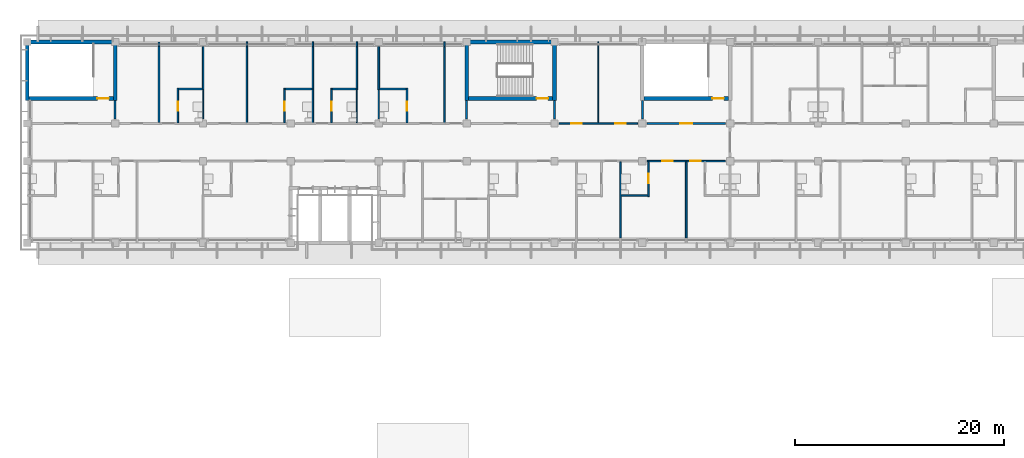
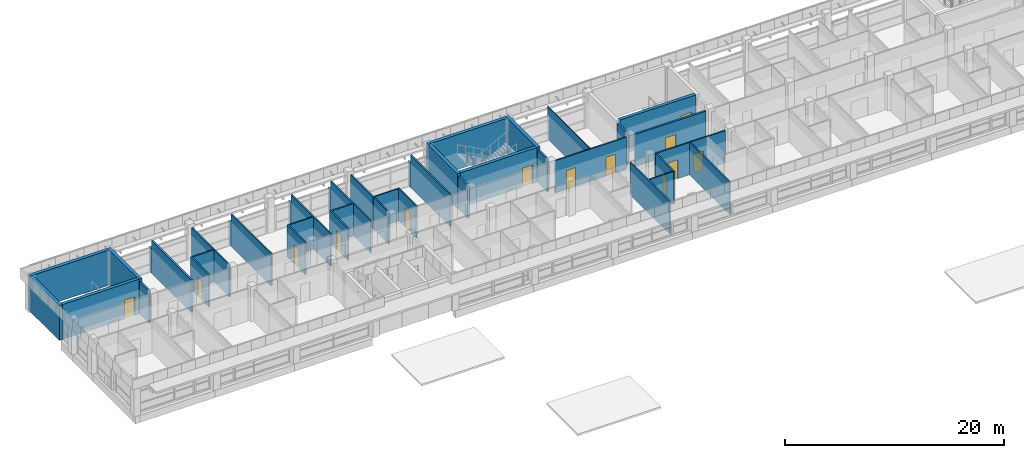
# One storey, part 17 of 36: 44 walls, 13 doors, 13 openings.
"""IFC4 building model written with IfcOpenShell, lengths in metres."""

from ifc_helpers import new_model, si_unit, direction, frame, frame_2d, origin, place, context, subcontext, project, spatial, rectangle, extrude, material, layer, layer_set, type_object, element, fill, save


model = new_model("IFC4")

# Units and contexts
model_context = context("Model", 3, precision=1e-05, world=origin(), true_north=direction((0.0, 1.0)))
body_context = subcontext(model_context, "Body", "Model", "MODEL_VIEW")
ifc_project = project(units=[si_unit("LENGTHUNIT", "METRE"), si_unit("AREAUNIT", "SQUARE_METRE"), si_unit("VOLUMEUNIT", "CUBIC_METRE"), si_unit("PLANEANGLEUNIT", "RADIAN"), si_unit("MASSUNIT", "GRAM", prefix="KILO")], contexts=[model_context])

# Site, building, storey
site_placement = place(None, origin())
site = spatial("IfcSite", under=ifc_project, at=site_placement, CompositionType="ELEMENT")
building_placement = place(site_placement, origin())
building = spatial("IfcBuilding", under=site, at=building_placement, Name="Bougainvillea Quay General Hospital", CompositionType="ELEMENT")
storey_placement = place(building_placement, frame((0.0, 0.0, 32.699951171875)))
storey = spatial("IfcBuildingStorey", under=building, at=storey_placement, Name="L07", CompositionType="ELEMENT", Elevation=32.699951171875)

# Walls
ifc_material_1 = material(Name="Gypsum board partition on steel studs", Category="steel")
ifc_layer_1 = layer(ifc_material_1, 0.10009765625)
ifc_layer_set_1 = layer_set([ifc_layer_1], Name="Gypsum board partition on steel studs")
wall_type_1 = type_object("IfcWallType", Name="Partition 100 Gypsum board partition", PredefinedType="PARTITIONING", material=ifc_layer_set_1)
wall_1_placement = place(storey_placement, frame((96.60009765625, 151.875, 0.0), z_axis=(0.0, 0.0, 1.0), x_axis=(0.0, 1.0, 0.0)))
element("IfcWall", 1, at=wall_1_placement, inside=storey, type_object=wall_type_1, Name="Partition 100 mm", PredefinedType="PARTITIONING", context=body_context, shape_type="SweptSolid", body=[
    extrude(rectangle(XDim=7.72509765625, YDim=0.10009765625, at=frame_2d((3.862548828125, 0.0))), origin(), (0.0, 0.0, 1.0), 3.60009765625),
])
wall_2_placement = place(storey_placement, frame((58.800048828125, 152.25, 0.0), z_axis=(0.0, 0.0, 1.0), x_axis=(0.0, 1.0, 0.0)))
element("IfcWall", 2, at=wall_2_placement, inside=storey, type_object=wall_type_1, Name="Partition 100 mm", PredefinedType="PARTITIONING", context=body_context, shape_type="SweptSolid", body=[
    extrude(rectangle(XDim=2.77490234375, YDim=0.10009765625, at=frame_2d((1.387451171875, 0.0))), origin(), (0.0, 0.0, 1.0), 3.60009765625),
])
wall_3_placement = place(storey_placement, frame((73.5, 151.875, 0.0), z_axis=(0.0, 0.0, 1.0), x_axis=(0.0, 1.0, 0.0)))
element("IfcWall", 3, at=wall_3_placement, inside=storey, type_object=wall_type_1, Name="Partition 100 mm", PredefinedType="PARTITIONING", context=body_context, shape_type="SweptSolid", body=[
    extrude(rectangle(XDim=3.14990234375, YDim=0.10009765625, at=frame_2d((1.574951171875, 0.0))), origin(), (0.0, 0.0, 1.0), 3.60009765625),
])
wall_4_placement = place(storey_placement, frame((75.60009765625, 152.25, 0.0), z_axis=(0.0, 0.0, 1.0), x_axis=(0.0, 1.0, 0.0)))
element("IfcWall", 4, at=wall_4_placement, inside=storey, type_object=wall_type_1, Name="Partition 100 mm", PredefinedType="PARTITIONING", context=body_context, shape_type="SweptSolid", body=[
    extrude(rectangle(XDim=2.77490234375, YDim=0.10009765625, at=frame_2d((1.387451171875, 0.0))), origin(), (0.0, 0.0, 1.0), 3.60009765625),
])
ifc_material_2 = material(Name="Gypsum board partition on steel studs, insulated", Category="steel")
ifc_layer_2 = layer(ifc_material_2, 0.14990234375)
ifc_layer_set_2 = layer_set([ifc_layer_2], Name="Gypsum board partition on steel studs, insulated")
wall_type_2 = type_object("IfcWallType", Name="Partition 150 Gypsum board partition", PredefinedType="PARTITIONING", material=ifc_layer_set_2)
wall_5_placement = place(storey_placement, frame((63.0, 151.875, 0.0), z_axis=(0.0, 0.0, 1.0), x_axis=(0.0, 1.0, 0.0)))
element("IfcWall", 5, at=wall_5_placement, inside=storey, type_object=wall_type_2, Name="Partition 150 mm", PredefinedType="PARTITIONING", context=body_context, shape_type="SweptSolid", body=[
    extrude(rectangle(XDim=7.27490234375, YDim=0.14990234375, at=frame_2d((3.637451171875, 0.0))), origin(), (0.0, 0.0, 1.0), 3.60009765625),
])
wall_6_placement = place(storey_placement, frame((63.0, 159.14990234375, 0.0), z_axis=(0.0, 0.0, 1.0), x_axis=(0.0, 1.0, 0.0)))
element("IfcWall", 6, at=wall_6_placement, inside=storey, type_object=wall_type_2, Name="Partition 150 mm", PredefinedType="PARTITIONING", context=body_context, shape_type="SweptSolid", body=[
    extrude(rectangle(XDim=0.4501953125, YDim=0.14990234375, at=frame_2d((0.22509765625, 0.0))), origin(), (0.0, 0.0, 1.0), 2.679931640625),
])
wall_7_placement = place(storey_placement, frame((69.300048828125, 151.875, 0.0), z_axis=(0.0, 0.0, 1.0), x_axis=(0.0, 1.0, 0.0)))
element("IfcWall", 7, at=wall_7_placement, inside=storey, type_object=wall_type_2, Name="Partition 150 mm", PredefinedType="PARTITIONING", context=body_context, shape_type="SweptSolid", body=[
    extrude(rectangle(XDim=7.27490234375, YDim=0.14990234375, at=frame_2d((3.637451171875, 0.0))), origin(), (0.0, 0.0, 1.0), 3.60009765625),
])
wall_8_placement = place(storey_placement, frame((69.300048828125, 159.14990234375, 0.0), z_axis=(0.0, 0.0, 1.0), x_axis=(0.0, 1.0, 0.0)))
element("IfcWall", 8, at=wall_8_placement, inside=storey, type_object=wall_type_2, Name="Partition 150 mm", PredefinedType="PARTITIONING", context=body_context, shape_type="SweptSolid", body=[
    extrude(rectangle(XDim=0.4501953125, YDim=0.14990234375, at=frame_2d((0.22509765625, 0.0))), origin(), (0.0, 0.0, 1.0), 2.679931640625),
])
wall_9_placement = place(storey_placement, frame((81.89990234375, 151.875, 0.0), z_axis=(0.0, 0.0, 1.0), x_axis=(0.0, 1.0, 0.0)))
element("IfcWall", 9, at=wall_9_placement, inside=storey, type_object=wall_type_2, Name="Partition 150 mm", PredefinedType="PARTITIONING", context=body_context, shape_type="SweptSolid", body=[
    extrude(rectangle(XDim=7.27490234375, YDim=0.14990234375, at=frame_2d((3.637451171875, 0.0))), origin(), (0.0, 0.0, 1.0), 3.60009765625),
])
wall_10_placement = place(storey_placement, frame((81.89990234375, 159.14990234375, 0.0), z_axis=(0.0, 0.0, 1.0), x_axis=(0.0, 1.0, 0.0)))
element("IfcWall", 10, at=wall_10_placement, inside=storey, type_object=wall_type_2, Name="Partition 150 mm", PredefinedType="PARTITIONING", context=body_context, shape_type="SweptSolid", body=[
    extrude(rectangle(XDim=0.4501953125, YDim=0.14990234375, at=frame_2d((0.22509765625, 0.0))), origin(), (0.0, 0.0, 1.0), 2.679931640625),
])
for number, where, z_axis, x_axis, name in (
    (11, (98.699951171875, 140.85009765625, 0.0), (0.0, 0.0, 1.0), (0.0, 1.0, 0.0), "Partition 150 mm"),
    (12, (105.0, 140.85009765625, 0.0), (0.0, 0.0, 1.0), (0.0, 1.0, 0.0), "Partition 150 mm"),
):
    element("IfcWall", number, at=place(storey_placement, frame(where, z_axis=z_axis, x_axis=x_axis)), inside=storey, type_object=wall_type_2, Name=name, PredefinedType="PARTITIONING", context=body_context, shape_type="SweptSolid", body=[
        extrude(rectangle(XDim=7.27490234375, YDim=0.14990234375, at=frame_2d((3.637451171875, 0.0))), origin(), (0.0, 0.0, 1.0), 3.60009765625),
    ])
for number, where, z_axis, x_axis, name in (
    (13, (58.800048828125, 155.02490234375, 0.0), (0.0, 0.0, 1.0), (0.0, 1.0, 0.0), "Partition 150 mm"),
    (14, (73.5, 155.02490234375, 0.0), (0.0, 0.0, 1.0), (0.0, 1.0, 0.0), "Partition 150 mm"),
):
    element("IfcWall", number, at=place(storey_placement, frame(where, z_axis=z_axis, x_axis=x_axis)), inside=storey, type_object=wall_type_2, Name=name, PredefinedType="PARTITIONING", context=body_context, shape_type="SweptSolid", body=[
        extrude(rectangle(XDim=4.125, YDim=0.14990234375, at=frame_2d((2.0625, 0.0))), origin(), (0.0, 0.0, 1.0), 3.60009765625),
    ])
wall_11_placement = place(storey_placement, frame((73.5, 159.14990234375, 0.0), z_axis=(0.0, 0.0, 1.0), x_axis=(0.0, 1.0, 0.0)))
element("IfcWall", 15, at=wall_11_placement, inside=storey, type_object=wall_type_2, Name="Partition 150 mm", PredefinedType="PARTITIONING", context=body_context, shape_type="SweptSolid", body=[
    extrude(rectangle(XDim=0.4501953125, YDim=0.14990234375, at=frame_2d((0.22509765625, 0.0))), origin(), (0.0, 0.0, 1.0), 2.679931640625),
])
wall_12_placement = place(storey_placement, frame((75.60009765625, 155.02490234375, 0.0), z_axis=(0.0, 0.0, 1.0), x_axis=(0.0, 1.0, 0.0)))
element("IfcWall", 16, at=wall_12_placement, inside=storey, type_object=wall_type_2, Name="Partition 150 mm", PredefinedType="PARTITIONING", context=body_context, shape_type="SweptSolid", body=[
    extrude(rectangle(XDim=4.125, YDim=0.14990234375, at=frame_2d((2.0625, 0.0))), origin(), (0.0, 0.0, 1.0), 3.60009765625),
])

# Wall, opening, door
wall_13_placement = place(storey_placement, frame((56.39990234375, 151.875, 0.0), z_axis=(0.0, 0.0, 1.0), x_axis=(0.0, 1.0, 0.0)))
wall_13 = element("IfcWall", 17, at=wall_13_placement, inside=storey, type_object=wall_type_2, Name="Partition 150 mm", PredefinedType="PARTITIONING", context=body_context, shape_type="SweptSolid", body=[
    extrude(rectangle(XDim=3.300048828125, YDim=0.14990234375, at=frame_2d((1.64990234375, 0.0))), origin(), (0.0, 0.0, 1.0), 3.60009765625),
])
opening_1_placement = place(wall_13_placement, frame((1.125, 0.0, 0.0)))
opening_1 = element("IfcOpeningElement", 18, at=opening_1_placement, cuts=wall_13, Name="Opening L07.010", PredefinedType="OPENING", context=body_context, shape_type="SweptSolid", body=[
    extrude(rectangle(XDim=0.89990234375, YDim=2.10009765625, at=frame_2d((0.449951171875, 1.050048828125))), frame((0.0, 0.0849609375, 0.0), z_axis=(0.0, -1.0, 0.0), x_axis=(1.0, 0.0, 0.0)), (0.0, 0.0, 1.0), 0.169921875),
])
ifc_material_3 = material(Name="Solid-core timber door leaf in steel frame", Category="steel")
door_type_1 = type_object("IfcDoorType", Name="Single leaf door 900x2100", OperationType="NOTDEFINED", PredefinedType="DOOR", material=ifc_material_3)
door_1_placement = place(opening_1_placement, frame((0.89990234375, 0.0, 0.0), z_axis=(0.0, 0.0, 1.0), x_axis=(-1.0, 0.0, 0.0)))
door_1 = element("IfcDoor", 19, at=door_1_placement, inside=storey, type_object=door_type_1, Name="DT07 L07.010", OperationType="SINGLE_SWING_RIGHT", OverallHeight=2.10009765625, OverallWidth=0.89990234375, PredefinedType="DOOR", context=body_context, shape_type="SweptSolid", body=[
    extrude(rectangle(XDim=0.89990234375, YDim=2.10009765625, at=frame_2d((0.449951171875, 1.050048828125))), frame((0.0, 0.02490234375, 0.0), z_axis=(0.0, -1.0, 0.0), x_axis=(1.0, 0.0, 0.0)), (0.0, 0.0, 1.0), 0.050048828125),
])
fill(opening_1, door_1)

wall_14_placement = place(storey_placement, frame((66.60009765625, 151.875, 0.0), z_axis=(0.0, 0.0, 1.0), x_axis=(0.0, 1.0, 0.0)))
wall_14 = element("IfcWall", 20, at=wall_14_placement, inside=storey, type_object=wall_type_2, Name="Partition 150 mm", PredefinedType="PARTITIONING", context=body_context, shape_type="SweptSolid", body=[
    extrude(rectangle(XDim=3.300048828125, YDim=0.14990234375, at=frame_2d((1.64990234375, 0.0))), origin(), (0.0, 0.0, 1.0), 3.60009765625),
])
opening_2_placement = place(wall_14_placement, frame((1.125, 0.0, 0.0)))
opening_2 = element("IfcOpeningElement", 21, at=opening_2_placement, cuts=wall_14, Name="Opening L07.013", PredefinedType="OPENING", context=body_context, shape_type="SweptSolid", body=[
    extrude(rectangle(XDim=0.89990234375, YDim=2.10009765625, at=frame_2d((0.449951171875, 1.050048828125))), frame((0.0, 0.0849609375, 0.0), z_axis=(0.0, -1.0, 0.0), x_axis=(1.0, 0.0, 0.0)), (0.0, 0.0, 1.0), 0.169921875),
])
door_2_placement = place(opening_2_placement, frame((0.89990234375, 0.0, 0.0), z_axis=(0.0, 0.0, 1.0), x_axis=(-1.0, 0.0, 0.0)))
door_2 = element("IfcDoor", 22, at=door_2_placement, inside=storey, type_object=door_type_1, Name="DT07 L07.013", OperationType="SINGLE_SWING_RIGHT", OverallHeight=2.10009765625, OverallWidth=0.89990234375, PredefinedType="DOOR", context=body_context, shape_type="SweptSolid", body=[
    extrude(rectangle(XDim=0.89990234375, YDim=2.10009765625, at=frame_2d((0.449951171875, 1.050048828125))), frame((0.0, 0.02490234375, 0.0), z_axis=(0.0, -1.0, 0.0), x_axis=(1.0, 0.0, 0.0)), (0.0, 0.0, 1.0), 0.050048828125),
])
fill(opening_2, door_2)

wall_15_placement = place(storey_placement, frame((71.10009765625, 151.875, 0.0), z_axis=(0.0, 0.0, 1.0), x_axis=(0.0, 1.0, 0.0)))
wall_15 = element("IfcWall", 23, at=wall_15_placement, inside=storey, type_object=wall_type_2, Name="Partition 150 mm", PredefinedType="PARTITIONING", context=body_context, shape_type="SweptSolid", body=[
    extrude(rectangle(XDim=3.300048828125, YDim=0.14990234375, at=frame_2d((1.64990234375, 0.0))), origin(), (0.0, 0.0, 1.0), 3.60009765625),
])
opening_3_placement = place(wall_15_placement, frame((1.125, 0.0, 0.0)))
opening_3 = element("IfcOpeningElement", 24, at=opening_3_placement, cuts=wall_15, Name="Opening L07.015", PredefinedType="OPENING", context=body_context, shape_type="SweptSolid", body=[
    extrude(rectangle(XDim=0.89990234375, YDim=2.10009765625, at=frame_2d((0.449951171875, 1.050048828125))), frame((0.0, 0.0849609375, 0.0), z_axis=(0.0, -1.0, 0.0), x_axis=(1.0, 0.0, 0.0)), (0.0, 0.0, 1.0), 0.169921875),
])
door_3_placement = place(opening_3_placement, frame((0.89990234375, 0.0, 0.0), z_axis=(0.0, 0.0, 1.0), x_axis=(-1.0, 0.0, 0.0)))
door_3 = element("IfcDoor", 25, at=door_3_placement, inside=storey, type_object=door_type_1, Name="DT07 L07.015", OperationType="SINGLE_SWING_RIGHT", OverallHeight=2.10009765625, OverallWidth=0.89990234375, PredefinedType="DOOR", context=body_context, shape_type="SweptSolid", body=[
    extrude(rectangle(XDim=0.89990234375, YDim=2.10009765625, at=frame_2d((0.449951171875, 1.050048828125))), frame((0.0, 0.02490234375, 0.0), z_axis=(0.0, -1.0, 0.0), x_axis=(1.0, 0.0, 0.0)), (0.0, 0.0, 1.0), 0.050048828125),
])
fill(opening_3, door_3)

wall_16_placement = place(storey_placement, frame((78.300048828125, 151.875, 0.0), z_axis=(0.0, 0.0, 1.0), x_axis=(0.0, 1.0, 0.0)))
wall_16 = element("IfcWall", 26, at=wall_16_placement, inside=storey, type_object=wall_type_2, Name="Partition 150 mm", PredefinedType="PARTITIONING", context=body_context, shape_type="SweptSolid", body=[
    extrude(rectangle(XDim=3.300048828125, YDim=0.14990234375, at=frame_2d((1.64990234375, 0.0))), origin(), (0.0, 0.0, 1.0), 3.60009765625),
])
opening_4_placement = place(wall_16_placement, frame((1.125, 0.0, 0.0)))
opening_4 = element("IfcOpeningElement", 27, at=opening_4_placement, cuts=wall_16, Name="Opening L07.018", PredefinedType="OPENING", context=body_context, shape_type="SweptSolid", body=[
    extrude(rectangle(XDim=0.89990234375, YDim=2.10009765625, at=frame_2d((0.449951171875, 1.050048828125))), frame((0.0, 0.0849609375, 0.0), z_axis=(0.0, -1.0, 0.0), x_axis=(1.0, 0.0, 0.0)), (0.0, 0.0, 1.0), 0.169921875),
])
door_4_placement = place(opening_4_placement, origin())
door_4 = element("IfcDoor", 28, at=door_4_placement, inside=storey, type_object=door_type_1, Name="DT07 L07.018", OperationType="SINGLE_SWING_LEFT", OverallHeight=2.10009765625, OverallWidth=0.89990234375, PredefinedType="DOOR", context=body_context, shape_type="SweptSolid", body=[
    extrude(rectangle(XDim=0.89990234375, YDim=2.10009765625, at=frame_2d((0.449951171875, 1.050048828125))), frame((0.0, 0.02490234375, 0.0), z_axis=(0.0, -1.0, 0.0), x_axis=(1.0, 0.0, 0.0)), (0.0, 0.0, 1.0), 0.050048828125),
])
fill(opening_4, door_4)

wall_17_placement = place(storey_placement, frame((101.39990234375, 144.824951171875, 0.0), z_axis=(0.0, 0.0, 1.0), x_axis=(0.0, 1.0, 0.0)))
wall_17 = element("IfcWall", 29, at=wall_17_placement, inside=storey, type_object=wall_type_2, Name="Partition 150 mm", PredefinedType="PARTITIONING", context=body_context, shape_type="SweptSolid", body=[
    extrude(rectangle(XDim=3.300048828125, YDim=0.14990234375, at=frame_2d((1.64990234375, 0.0))), origin(), (0.0, 0.0, 1.0), 3.60009765625),
])
opening_5_placement = place(wall_17_placement, frame((1.27490234375, 0.0, 0.0)))
opening_5 = element("IfcOpeningElement", 30, at=opening_5_placement, cuts=wall_17, Name="Opening L07.030", PredefinedType="OPENING", context=body_context, shape_type="SweptSolid", body=[
    extrude(rectangle(XDim=0.89990234375, YDim=2.10009765625, at=frame_2d((0.449951171875, 1.050048828125))), frame((0.0, 0.0849609375, 0.0), z_axis=(0.0, -1.0, 0.0), x_axis=(1.0, 0.0, 0.0)), (0.0, 0.0, 1.0), 0.169921875),
])
door_5_placement = place(opening_5_placement, origin())
door_5 = element("IfcDoor", 31, at=door_5_placement, inside=storey, type_object=door_type_1, Name="DT07 L07.030", OperationType="SINGLE_SWING_RIGHT", OverallHeight=2.10009765625, OverallWidth=0.89990234375, PredefinedType="DOOR", context=body_context, shape_type="SweptSolid", body=[
    extrude(rectangle(XDim=0.89990234375, YDim=2.10009765625, at=frame_2d((0.449951171875, 1.050048828125))), frame((0.0, 0.02490234375, 0.0), z_axis=(0.0, -1.0, 0.0), x_axis=(1.0, 0.0, 0.0)), (0.0, 0.0, 1.0), 0.050048828125),
])
fill(opening_5, door_5)

# Walls
for number, where, z_axis, x_axis, name in (
    (32, (66.675048828125, 155.10009765625, 0.0), (0.0, 0.0, 1.0), (1.0, 0.0, 0.0), "Partition 150 mm"),
    (33, (75.675048828125, 155.10009765625, 0.0), (0.0, 0.0, 1.0), (1.0, 0.0, 0.0), "Partition 150 mm"),
    (34, (98.77490234375, 144.89990234375, 0.0), (0.0, 0.0, 1.0), (1.0, 0.0, 0.0), "Partition 150 mm"),
):
    element("IfcWall", number, at=place(storey_placement, frame(where, z_axis=z_axis, x_axis=x_axis)), inside=storey, type_object=wall_type_2, Name=name, PredefinedType="PARTITIONING", context=body_context, shape_type="SweptSolid", body=[
        extrude(rectangle(XDim=2.550048828125, YDim=0.14990234375, at=frame_2d((1.27490234375, 0.0))), origin(), (0.0, 0.0, 1.0), 3.60009765625),
    ])
for number, where, z_axis, x_axis, name in (
    (35, (71.175048828125, 155.10009765625, 0.0), (0.0, 0.0, 1.0), (1.0, 0.0, 0.0), "Partition 150 mm"),
    (36, (56.47509765625, 155.10009765625, 0.0), (0.0, 0.0, 1.0), (1.0, 0.0, 0.0), "Partition 150 mm"),
):
    element("IfcWall", number, at=place(storey_placement, frame(where, z_axis=z_axis, x_axis=x_axis)), inside=storey, type_object=wall_type_2, Name=name, PredefinedType="PARTITIONING", context=body_context, shape_type="SweptSolid", body=[
        extrude(rectangle(XDim=2.25, YDim=0.14990234375, at=frame_2d((1.125, 0.0))), origin(), (0.0, 0.0, 1.0), 3.60009765625),
    ])

# Wall, openings, doors
ifc_layer_3 = layer(ifc_material_2, 0.14990234375)
ifc_layer_set_3 = layer_set([ifc_layer_3], Name="Gypsum board partition on steel studs, insulated")
wall_type_3 = type_object("IfcWallType", Name="Partition 150 Gypsum board partition EI 30", PredefinedType="PARTITIONING", material=ifc_layer_set_3)
wall_18_placement = place(storey_placement, frame((108.75, 148.199951171875, 0.0), z_axis=(0.0, 0.0, 1.0), x_axis=(-1.0, 0.0, 0.0)))
wall_18 = element("IfcWall", 37, at=wall_18_placement, inside=storey, type_object=wall_type_3, Name="Partition 150 mm EI 30", PredefinedType="PARTITIONING", context=body_context, shape_type="SweptSolid", body=[
    extrude(rectangle(XDim=7.5, YDim=0.14990234375, at=frame_2d((3.75, 0.0))), origin(), (0.0, 0.0, 1.0), 3.60009765625),
])
opening_6_placement = place(wall_18_placement, frame((5.050048828125, 0.0, 0.0)))
opening_6 = element("IfcOpeningElement", 38, at=opening_6_placement, cuts=wall_18, Name="Opening L07.029", PredefinedType="OPENING", context=body_context, shape_type="SweptSolid", body=[
    extrude(rectangle(XDim=1.0, YDim=2.10009765625, at=frame_2d((0.5, 1.050048828125))), frame((0.0, 0.0849609375, 0.0), z_axis=(0.0, -1.0, 0.0), x_axis=(1.0, 0.0, 0.0)), (0.0, 0.0, 1.0), 0.169921875),
])
opening_7_placement = place(wall_18_placement, frame((2.35009765625, 0.0, 0.0)))
opening_7 = element("IfcOpeningElement", 39, at=opening_7_placement, cuts=wall_18, Name="Opening L07.031", PredefinedType="OPENING", context=body_context, shape_type="SweptSolid", body=[
    extrude(rectangle(XDim=1.0, YDim=2.10009765625, at=frame_2d((0.5, 1.050048828125))), frame((0.0, 0.0849609375, 0.0), z_axis=(0.0, -1.0, 0.0), x_axis=(1.0, 0.0, 0.0)), (0.0, 0.0, 1.0), 0.169921875),
])
door_type_2 = type_object("IfcDoorType", Name="Single leaf door 1000x2100 FD30S", OperationType="NOTDEFINED", PredefinedType="DOOR", material=ifc_material_3)
door_6_placement = place(opening_6_placement, origin())
door_6 = element("IfcDoor", 40, at=door_6_placement, inside=storey, type_object=door_type_2, Name="DT15 L07.029", OperationType="SINGLE_SWING_RIGHT", OverallHeight=2.10009765625, OverallWidth=1.0, PredefinedType="DOOR", context=body_context, shape_type="SweptSolid", body=[
    extrude(rectangle(XDim=1.0, YDim=2.10009765625, at=frame_2d((0.5, 1.050048828125))), frame((0.0, 0.02490234375, 0.0), z_axis=(0.0, -1.0, 0.0), x_axis=(1.0, 0.0, 0.0)), (0.0, 0.0, 1.0), 0.050048828125),
])
fill(opening_6, door_6)
door_7_placement = place(opening_7_placement, origin())
door_7 = element("IfcDoor", 41, at=door_7_placement, inside=storey, type_object=door_type_2, Name="DT15 L07.031", OperationType="SINGLE_SWING_LEFT", OverallHeight=2.10009765625, OverallWidth=1.0, PredefinedType="DOOR", context=body_context, shape_type="SweptSolid", body=[
    extrude(rectangle(XDim=1.0, YDim=2.10009765625, at=frame_2d((0.5, 1.050048828125))), frame((0.0, 0.02490234375, 0.0), z_axis=(0.0, -1.0, 0.0), x_axis=(1.0, 0.0, 0.0)), (0.0, 0.0, 1.0), 0.050048828125),
])
fill(opening_7, door_7)

wall_19_placement = place(storey_placement, frame((92.85009765625, 151.800048828125, 0.0), z_axis=(0.0, 0.0, 1.0), x_axis=(1.0, 0.0, 0.0)))
wall_19 = element("IfcWall", 42, at=wall_19_placement, inside=storey, type_object=wall_type_3, Name="Partition 150 mm EI 30", PredefinedType="PARTITIONING", context=body_context, shape_type="SweptSolid", body=[
    extrude(rectangle(XDim=7.5, YDim=0.14990234375, at=frame_2d((3.75, 0.0))), origin(), (0.0, 0.0, 1.0), 3.60009765625),
])
opening_8_placement = place(wall_19_placement, frame((1.14990234375, 0.0, 0.0)))
opening_8 = element("IfcOpeningElement", 43, at=opening_8_placement, cuts=wall_19, Name="Opening L07.033", PredefinedType="OPENING", context=body_context, shape_type="SweptSolid", body=[
    extrude(rectangle(XDim=1.0, YDim=2.10009765625, at=frame_2d((0.5, 1.050048828125))), frame((0.0, 0.0849609375, 0.0), z_axis=(0.0, -1.0, 0.0), x_axis=(1.0, 0.0, 0.0)), (0.0, 0.0, 1.0), 0.169921875),
])
opening_9_placement = place(wall_19_placement, frame((5.35009765625, 0.0, 0.0)))
opening_9 = element("IfcOpeningElement", 44, at=opening_9_placement, cuts=wall_19, Name="Opening L07.034", PredefinedType="OPENING", context=body_context, shape_type="SweptSolid", body=[
    extrude(rectangle(XDim=1.0, YDim=2.10009765625, at=frame_2d((0.5, 1.050048828125))), frame((0.0, 0.0849609375, 0.0), z_axis=(0.0, -1.0, 0.0), x_axis=(1.0, 0.0, 0.0)), (0.0, 0.0, 1.0), 0.169921875),
])
door_8_placement = place(opening_8_placement, origin())
door_8 = element("IfcDoor", 45, at=door_8_placement, inside=storey, type_object=door_type_2, Name="DT15 L07.033", OperationType="SINGLE_SWING_LEFT", OverallHeight=2.10009765625, OverallWidth=1.0, PredefinedType="DOOR", context=body_context, shape_type="SweptSolid", body=[
    extrude(rectangle(XDim=1.0, YDim=2.10009765625, at=frame_2d((0.5, 1.050048828125))), frame((0.0, 0.02490234375, 0.0), z_axis=(0.0, -1.0, 0.0), x_axis=(1.0, 0.0, 0.0)), (0.0, 0.0, 1.0), 0.050048828125),
])
fill(opening_8, door_8)
door_9_placement = place(opening_9_placement, origin())
door_9 = element("IfcDoor", 46, at=door_9_placement, inside=storey, type_object=door_type_2, Name="DT15 L07.034", OperationType="SINGLE_SWING_RIGHT", OverallHeight=2.10009765625, OverallWidth=1.0, PredefinedType="DOOR", context=body_context, shape_type="SweptSolid", body=[
    extrude(rectangle(XDim=1.0, YDim=2.10009765625, at=frame_2d((0.5, 1.050048828125))), frame((0.0, 0.02490234375, 0.0), z_axis=(0.0, -1.0, 0.0), x_axis=(1.0, 0.0, 0.0)), (0.0, 0.0, 1.0), 0.050048828125),
])
fill(opening_9, door_9)

# Wall, opening, door
ifc_material_4 = material(Name="Fire-rated autoclaved aerated block wall, plastered")
ifc_layer_4 = layer(ifc_material_4, 0.199951171875)
ifc_layer_set_4 = layer_set([ifc_layer_4], Name="Fire-rated autoclaved aerated block wall, plastered")
wall_type_4 = type_object("IfcWallType", Name="Partition 200 Fire-rated autoclaved aerated block wall EI 120", PredefinedType="SOLIDWALL", material=ifc_layer_set_4)
wall_20_placement = place(storey_placement, frame((101.25, 151.800048828125, 0.0), z_axis=(0.0, 0.0, 1.0), x_axis=(1.0, 0.0, 0.0)))
wall_20 = element("IfcWall", 47, at=wall_20_placement, inside=storey, type_object=wall_type_4, Name="Partition 200 mm EI 120", PredefinedType="SOLIDWALL", context=body_context, shape_type="SweptSolid", body=[
    extrude(rectangle(XDim=7.5, YDim=0.199951171875, at=frame_2d((3.75, 0.0))), origin(), (0.0, 0.0, 1.0), 3.60009765625),
])
opening_10_placement = place(wall_20_placement, frame((3.199951171875, 0.0, 0.0)))
opening_10 = element("IfcOpeningElement", 48, at=opening_10_placement, cuts=wall_20, Name="Opening L07.081", PredefinedType="OPENING", context=body_context, shape_type="SweptSolid", body=[
    extrude(rectangle(XDim=1.10009765625, YDim=2.10009765625, at=frame_2d((0.550048828125, 1.050048828125))), frame((0.0, 0.10986328125, 0.0), z_axis=(0.0, -1.0, 0.0), x_axis=(1.0, 0.0, 0.0)), (0.0, 0.0, 1.0), 0.219970703125),
])
ifc_material_5 = material(Name="Steel fire door leaf in steel frame", Category="steel")
door_type_3 = type_object("IfcDoorType", Name="Steel single leaf door 1100x2100 FD60", OperationType="NOTDEFINED", PredefinedType="DOOR", material=ifc_material_5)
door_10_placement = place(opening_10_placement, origin())
door_10 = element("IfcDoor", 49, at=door_10_placement, inside=storey, type_object=door_type_3, Name="DT04 L07.081", OperationType="SINGLE_SWING_RIGHT", OverallHeight=2.10009765625, OverallWidth=1.10009765625, PredefinedType="DOOR", context=body_context, shape_type="SweptSolid", body=[
    extrude(rectangle(XDim=1.10009765625, YDim=2.10009765625, at=frame_2d((0.550048828125, 1.050048828125))), frame((0.0, 0.02490234375, 0.0), z_axis=(0.0, -1.0, 0.0), x_axis=(1.0, 0.0, 0.0)), (0.0, 0.0, 1.0), 0.050048828125),
])
fill(opening_10, door_10)

# Walls
wall_21_placement = place(storey_placement, frame((50.39990234375, 152.25, 0.0), z_axis=(0.0, 0.0, 1.0), x_axis=(0.0, 1.0, 0.0)))
element("IfcWall", 50, at=wall_21_placement, inside=storey, type_object=wall_type_4, Name="Partition 200 mm EI 120", PredefinedType="SOLIDWALL", context=body_context, shape_type="SweptSolid", body=[
    extrude(rectangle(XDim=1.77490234375, YDim=0.199951171875, at=frame_2d((0.887451171875, 0.0))), origin(), (0.0, 0.0, 1.0), 3.60009765625),
])
wall_22_placement = place(storey_placement, frame((54.60009765625, 151.89990234375, 0.0), z_axis=(0.0, 0.0, 1.0), x_axis=(0.0, 1.0, 0.0)))
element("IfcWall", 51, at=wall_22_placement, inside=storey, type_object=wall_type_4, Name="Partition 200 mm EI 120", PredefinedType="SOLIDWALL", context=body_context, shape_type="SweptSolid", body=[
    extrude(rectangle(XDim=7.25, YDim=0.199951171875, at=frame_2d((3.625, 0.0))), origin(), (0.0, 0.0, 1.0), 3.60009765625),
])
wall_23_placement = place(storey_placement, frame((54.60009765625, 159.14990234375, 0.0), z_axis=(0.0, 0.0, 1.0), x_axis=(0.0, 1.0, 0.0)))
element("IfcWall", 52, at=wall_23_placement, inside=storey, type_object=wall_type_4, Name="Partition 200 mm EI 120", PredefinedType="SOLIDWALL", context=body_context, shape_type="SweptSolid", body=[
    extrude(rectangle(XDim=0.4501953125, YDim=0.199951171875, at=frame_2d((0.22509765625, 0.0))), origin(), (0.0, 0.0, 1.0), 2.679931640625),
])
for number, where, z_axis, x_axis, name in (
    (53, (84.0, 152.25, 0.0), (0.0, 0.0, 1.0), (0.0, 1.0, 0.0), "Partition 200 mm EI 120"),
    (54, (92.39990234375, 152.25, 0.0), (0.0, 0.0, 1.0), (0.0, 1.0, 0.0), "Partition 200 mm EI 120"),
    (55, (100.800048828125, 152.25, 0.0), (0.0, 0.0, 1.0), (0.0, 1.0, 0.0), "Partition 200 mm EI 120"),
):
    element("IfcWall", number, at=place(storey_placement, frame(where, z_axis=z_axis, x_axis=x_axis)), inside=storey, type_object=wall_type_4, Name=name, PredefinedType="SOLIDWALL", context=body_context, shape_type="SweptSolid", body=[
        extrude(rectangle(XDim=1.77490234375, YDim=0.199951171875, at=frame_2d((0.887451171875, 0.0))), origin(), (0.0, 0.0, 1.0), 3.60009765625),
    ])
ifc_material_6 = material(Name="Concrete C40", Category="concrete")
ifc_layer_5 = layer(ifc_material_6, 0.35009765625)
ifc_layer_set_5 = layer_set([ifc_layer_5], Name="Concrete C40")
wall_type_5 = type_object("IfcWallType", Name="RC SHEAR WALL 350 C40", PredefinedType="SHEAR", material=ifc_layer_set_5)
wall_24_placement = place(storey_placement, frame((41.824951171875, 159.60009765625, 0.0), z_axis=(0.0, 0.0, 1.0), x_axis=(1.0, 0.0, 0.0)))
element("IfcWall", 56, at=wall_24_placement, inside=storey, type_object=wall_type_5, Name="Shear wall L07", PredefinedType="SHEAR", context=body_context, shape_type="SweptSolid", body=[
    extrude(rectangle(XDim=8.400146484375, YDim=0.35009765625, at=frame_2d((4.2001953125, 0.0))), origin(), (0.0, 0.0, 1.0), 3.900146484375),
])
wall_25_placement = place(storey_placement, frame((42.0, 154.02490234375, 0.0), z_axis=(0.0, 0.0, 1.0), x_axis=(0.0, 1.0, 0.0)))
element("IfcWall", 57, at=wall_25_placement, inside=storey, type_object=wall_type_5, Name="Shear wall L07", PredefinedType="SHEAR", context=body_context, shape_type="SweptSolid", body=[
    extrude(rectangle(XDim=5.400146484375, YDim=0.35009765625, at=frame_2d((2.7001953125, 0.0))), origin(), (0.0, 0.0, 1.0), 3.900146484375),
])

# Wall, opening, door
wall_26_placement = place(storey_placement, frame((42.175048828125, 154.199951171875, 0.0), z_axis=(0.0, 0.0, 1.0), x_axis=(1.0, 0.0, 0.0)))
wall_26 = element("IfcWall", 58, at=wall_26_placement, inside=storey, type_object=wall_type_5, Name="Shear wall L07", PredefinedType="SHEAR", context=body_context, shape_type="SweptSolid", body=[
    extrude(rectangle(XDim=8.050048828125, YDim=0.35009765625, at=frame_2d((4.02490234375, 0.0))), origin(), (0.0, 0.0, 1.0), 3.900146484375),
])
opening_11_placement = place(wall_26_placement, frame((6.52490234375, 0.0, 0.0)))
opening_11 = element("IfcOpeningElement", 59, at=opening_11_placement, cuts=wall_26, Name="Opening L07.072", PredefinedType="OPENING", context=body_context, shape_type="SweptSolid", body=[
    extrude(rectangle(XDim=1.10009765625, YDim=2.10009765625, at=frame_2d((0.550048828125, 1.050048828125))), frame((0.0, 0.18505859375, 0.0), z_axis=(0.0, -1.0, 0.0), x_axis=(1.0, 0.0, 0.0)), (0.0, 0.0, 1.0), 0.3701171875),
])
door_11_placement = place(opening_11_placement, origin())
door_11 = element("IfcDoor", 60, at=door_11_placement, inside=storey, type_object=door_type_3, Name="DT04 L07.072", OperationType="SINGLE_SWING_RIGHT", OverallHeight=2.10009765625, OverallWidth=1.10009765625, PredefinedType="DOOR", context=body_context, shape_type="SweptSolid", body=[
    extrude(rectangle(XDim=1.10009765625, YDim=2.10009765625, at=frame_2d((0.550048828125, 1.050048828125))), frame((0.0, 0.02490234375, 0.0), z_axis=(0.0, -1.0, 0.0), x_axis=(1.0, 0.0, 0.0)), (0.0, 0.0, 1.0), 0.050048828125),
])
fill(opening_11, door_11)

# Walls
wall_27_placement = place(storey_placement, frame((50.39990234375, 154.02490234375, 0.0), z_axis=(0.0, 0.0, 1.0), x_axis=(0.0, 1.0, 0.0)))
element("IfcWall", 61, at=wall_27_placement, inside=storey, type_object=wall_type_5, Name="Shear wall L07", PredefinedType="SHEAR", context=body_context, shape_type="SweptSolid", body=[
    extrude(rectangle(XDim=5.75, YDim=0.35009765625, at=frame_2d((2.875, 0.0))), origin(), (0.0, 0.0, 1.0), 3.900146484375),
])
wall_28_placement = place(storey_placement, frame((83.824951171875, 159.60009765625, 0.0), z_axis=(0.0, 0.0, 1.0), x_axis=(1.0, 0.0, 0.0)))
element("IfcWall", 62, at=wall_28_placement, inside=storey, type_object=wall_type_5, Name="Shear wall L07", PredefinedType="SHEAR", context=body_context, shape_type="SweptSolid", body=[
    extrude(rectangle(XDim=8.400146484375, YDim=0.35009765625, at=frame_2d((4.2001953125, 0.0))), origin(), (0.0, 0.0, 1.0), 3.900146484375),
])
wall_29_placement = place(storey_placement, frame((84.0, 154.02490234375, 0.0), z_axis=(0.0, 0.0, 1.0), x_axis=(0.0, 1.0, 0.0)))
element("IfcWall", 63, at=wall_29_placement, inside=storey, type_object=wall_type_5, Name="Shear wall L07", PredefinedType="SHEAR", context=body_context, shape_type="SweptSolid", body=[
    extrude(rectangle(XDim=5.400146484375, YDim=0.35009765625, at=frame_2d((2.7001953125, 0.0))), origin(), (0.0, 0.0, 1.0), 3.900146484375),
])

# Wall, opening, door
wall_30_placement = place(storey_placement, frame((84.175048828125, 154.199951171875, 0.0), z_axis=(0.0, 0.0, 1.0), x_axis=(1.0, 0.0, 0.0)))
wall_30 = element("IfcWall", 64, at=wall_30_placement, inside=storey, type_object=wall_type_5, Name="Shear wall L07", PredefinedType="SHEAR", context=body_context, shape_type="SweptSolid", body=[
    extrude(rectangle(XDim=8.050048828125, YDim=0.35009765625, at=frame_2d((4.02490234375, 0.0))), origin(), (0.0, 0.0, 1.0), 3.900146484375),
])
opening_12_placement = place(wall_30_placement, frame((6.52490234375, 0.0, 0.0)))
opening_12 = element("IfcOpeningElement", 65, at=opening_12_placement, cuts=wall_30, Name="Opening L07.074", PredefinedType="OPENING", context=body_context, shape_type="SweptSolid", body=[
    extrude(rectangle(XDim=1.10009765625, YDim=2.10009765625, at=frame_2d((0.550048828125, 1.050048828125))), frame((0.0, 0.18505859375, 0.0), z_axis=(0.0, -1.0, 0.0), x_axis=(1.0, 0.0, 0.0)), (0.0, 0.0, 1.0), 0.3701171875),
])
door_12_placement = place(opening_12_placement, origin())
door_12 = element("IfcDoor", 66, at=door_12_placement, inside=storey, type_object=door_type_3, Name="DT04 L07.074", OperationType="SINGLE_SWING_RIGHT", OverallHeight=2.10009765625, OverallWidth=1.10009765625, PredefinedType="DOOR", context=body_context, shape_type="SweptSolid", body=[
    extrude(rectangle(XDim=1.10009765625, YDim=2.10009765625, at=frame_2d((0.550048828125, 1.050048828125))), frame((0.0, 0.02490234375, 0.0), z_axis=(0.0, -1.0, 0.0), x_axis=(1.0, 0.0, 0.0)), (0.0, 0.0, 1.0), 0.050048828125),
])
fill(opening_12, door_12)

# Wall
wall_31_placement = place(storey_placement, frame((92.39990234375, 154.02490234375, 0.0), z_axis=(0.0, 0.0, 1.0), x_axis=(0.0, 1.0, 0.0)))
element("IfcWall", 67, at=wall_31_placement, inside=storey, type_object=wall_type_5, Name="Shear wall L07", PredefinedType="SHEAR", context=body_context, shape_type="SweptSolid", body=[
    extrude(rectangle(XDim=5.75, YDim=0.35009765625, at=frame_2d((2.875, 0.0))), origin(), (0.0, 0.0, 1.0), 3.900146484375),
])

# Wall, opening, door
wall_32_placement = place(storey_placement, frame((100.97509765625, 154.199951171875, 0.0), z_axis=(0.0, 0.0, 1.0), x_axis=(1.0, 0.0, 0.0)))
wall_32 = element("IfcWall", 68, at=wall_32_placement, inside=storey, type_object=wall_type_5, Name="Shear wall L07", PredefinedType="SHEAR", context=body_context, shape_type="SweptSolid", body=[
    extrude(rectangle(XDim=8.0498046875, YDim=0.35009765625, at=frame_2d((4.02490234375, 0.0))), origin(), (0.0, 0.0, 1.0), 3.900146484375),
])
opening_13_placement = place(wall_32_placement, frame((6.52490234375, 0.0, 0.0)))
opening_13 = element("IfcOpeningElement", 69, at=opening_13_placement, cuts=wall_32, Name="Opening L07.080", PredefinedType="OPENING", context=body_context, shape_type="SweptSolid", body=[
    extrude(rectangle(XDim=1.10009765625, YDim=2.10009765625, at=frame_2d((0.550048828125, 1.050048828125))), frame((0.0, 0.18505859375, 0.0), z_axis=(0.0, -1.0, 0.0), x_axis=(1.0, 0.0, 0.0)), (0.0, 0.0, 1.0), 0.3701171875),
])
door_13_placement = place(opening_13_placement, origin())
door_13 = element("IfcDoor", 70, at=door_13_placement, inside=storey, type_object=door_type_3, Name="DT04 L07.080", OperationType="SINGLE_SWING_RIGHT", OverallHeight=2.10009765625, OverallWidth=1.10009765625, PredefinedType="DOOR", context=body_context, shape_type="SweptSolid", body=[
    extrude(rectangle(XDim=1.10009765625, YDim=2.10009765625, at=frame_2d((0.550048828125, 1.050048828125))), frame((0.0, 0.02490234375, 0.0), z_axis=(0.0, -1.0, 0.0), x_axis=(1.0, 0.0, 0.0)), (0.0, 0.0, 1.0), 0.050048828125),
])
fill(opening_13, door_13)

save(model, "model.ifc")
